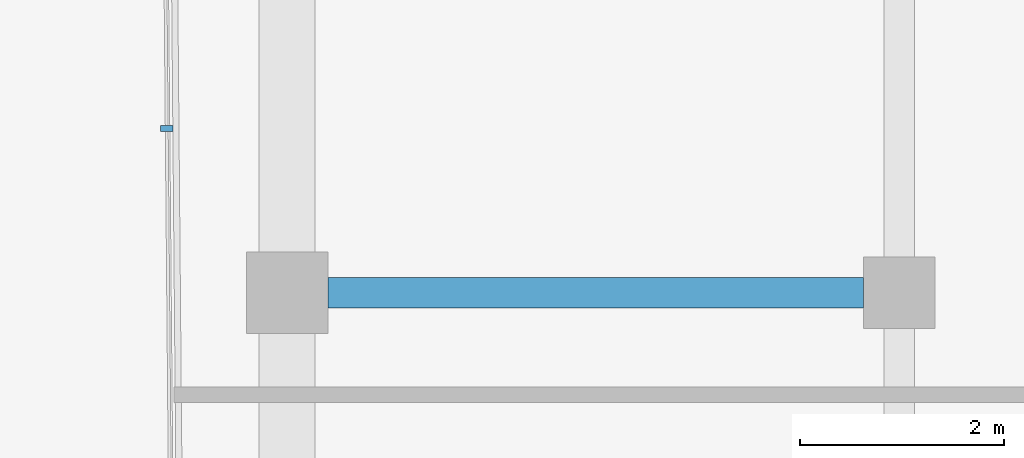
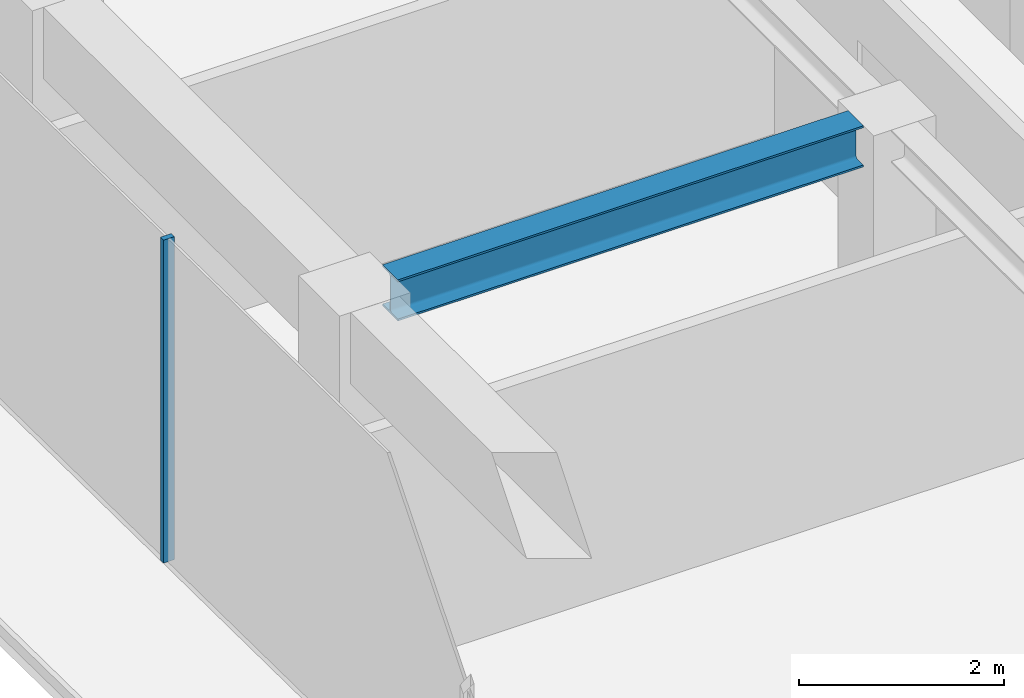
# One storey, part 8 of 19: 1 beam, 1 member, 1 element without a shape of its own.
"""IFC4 building model written with IfcOpenShell, lengths in metres."""

import ifcopenshell
import ifcopenshell.guid

model = None  # the IFC model being written
_history = None  # IfcOwnerHistory: only IFC2X3 demands one
_inside = {}  # id of a spatial element -> (the spatial element, [elements in it])
_under = {}  # id of a project, library or spatial element -> (it, [spatial elements below it])
_declared = {}  # id of a project -> (the project, [libraries it declares])
_typed = {}  # id of a type object -> (the type object, [elements of that type])
_made_of = {}  # id of a material, layer set ... -> (it, [elements and type objects made of it])


def new_model(schema):
    """Start an empty IFC model of exactly this schema.

    Asked for "IFC4X3", IfcOpenShell would pick the latest addendum, in which some entities
    have other attributes; the version numbers below select the first issue.
    IFC2X3 requires an IfcOwnerHistory on every rooted entity: one is made here for all.
    """
    global model, _history
    if schema == "IFC4X3":
        model = ifcopenshell.file(schema_version=(4, 3, 0, 0))
    else:
        model = ifcopenshell.file(schema=schema)
    _inside.clear()
    _under.clear()
    _declared.clear()
    _typed.clear()
    _made_of.clear()
    _history = None
    if model.schema == "IFC2X3":
        org = make("IfcOrganization", Name="unknown")
        user = make(
            "IfcPersonAndOrganization",
            ThePerson=make("IfcPerson", FamilyName="unknown"),
            TheOrganization=org,
        )
        app = make(
            "IfcApplication",
            ApplicationDeveloper=org,
            Version="unknown",
            ApplicationFullName="unknown",
            ApplicationIdentifier="unknown",
        )
        _history = make(
            "IfcOwnerHistory",
            OwningUser=user,
            OwningApplication=app,
            ChangeAction="ADDED",
            CreationDate=0,
        )
    return model


def make(cls, **values):
    """One entity of the class cls with the attributes given. An attribute that is None is left unset."""
    return model.create_entity(
        cls, **{name: value for name, value in values.items() if value is not None}
    )


def rooted(cls, **values):
    """An entity with a GlobalId (a new one), such as an element, a storey or a relation."""
    return make(cls, GlobalId=ifcopenshell.guid.new(), OwnerHistory=_history, **values)


def si_unit(unit_type, name, prefix=None):
    """IfcSIUnit, for example si_unit("LENGTHUNIT", "METRE", prefix="MILLI")."""
    return make("IfcSIUnit", UnitType=unit_type, Prefix=prefix, Name=name)


def assignment(units):
    """IfcUnitAssignment: the units of a project."""
    return None if units is None else make("IfcUnitAssignment", Units=units)


def point(xyz):
    """IfcCartesianPoint."""
    return None if xyz is None else make("IfcCartesianPoint", Coordinates=xyz)


def direction(xyz):
    """IfcDirection."""
    return None if xyz is None else make("IfcDirection", DirectionRatios=xyz)


def frame(location, z_axis=None, x_axis=None):
    """IfcAxis2Placement3D, a coordinate frame: its origin and axes. An axis left out is left unset."""
    return make(
        "IfcAxis2Placement3D",
        Location=point(location),
        Axis=direction(z_axis),
        RefDirection=direction(x_axis),
    )


def frame_2d(location, x_axis=None):
    """IfcAxis2Placement2D, a coordinate frame in the plane: its origin and x axis."""
    return make(
        "IfcAxis2Placement2D", Location=point(location), RefDirection=direction(x_axis)
    )


def origin():
    """The frame at (0, 0, 0) with its axes left unset."""
    return frame((0.0, 0.0, 0.0))


def origin_2d():
    """The frame at (0, 0) in the plane with its x axis left unset."""
    return frame_2d((0.0, 0.0))


def place(relative_to, where):
    """IfcLocalPlacement: puts the frame where relative to a parent placement (None: the world)."""
    return make(
        "IfcLocalPlacement", PlacementRelTo=relative_to, RelativePlacement=where
    )


def context(
    kind, dimensions, precision=None, world=None, true_north=None, identifier=None
):
    """IfcGeometricRepresentationContext, for example the 3D "Model" context."""
    return make(
        "IfcGeometricRepresentationContext",
        ContextIdentifier=identifier,
        ContextType=kind,
        CoordinateSpaceDimension=dimensions,
        Precision=precision,
        WorldCoordinateSystem=world,
        TrueNorth=true_north,
    )


def subcontext(parent, identifier, kind, view, scale=None):
    """IfcGeometricRepresentationSubContext, for example "Body" below "Model"."""
    return make(
        "IfcGeometricRepresentationSubContext",
        ContextIdentifier=identifier,
        ContextType=kind,
        ParentContext=parent,
        TargetScale=scale,
        TargetView=view,
    )


def project(units=None, contexts=None):
    """IfcProject with its units and contexts."""
    return rooted(
        "IfcProject",
        Name="project",
        RepresentationContexts=contexts,
        UnitsInContext=assignment(units),
    )


def spatial(cls, under=None, at=None, **own):
    """A site, building, storey or space (cls), placed at a placement, below another one or the project."""
    s = rooted(cls, ObjectPlacement=at, **own)
    if under is not None:
        _under.setdefault(under.id(), (under, []))[1].append(s)
    return s


def profile(cls, at=None, kind="AREA", **sizes):
    """A parametric profile (cls). Its sizes go by their IFC names, for example OverallWidth=200.0."""
    return make(cls, ProfileType=kind, Position=at, **sizes)


def rectangle(**sizes):
    """IfcRectangleProfileDef."""
    return profile("IfcRectangleProfileDef", **sizes)


def i_section(**sizes):
    """IfcIShapeProfileDef."""
    return profile("IfcIShapeProfileDef", **sizes)


def extrude(swept, where, along, depth):
    """IfcExtrudedAreaSolid: the profile swept, set in the frame where, extruded along a direction by depth."""
    return make(
        "IfcExtrudedAreaSolid",
        SweptArea=swept,
        Position=where,
        ExtrudedDirection=direction(along),
        Depth=depth,
    )


def shape(context_of_items, identifier, shape_type, items):
    """IfcShapeRepresentation: the items that make up one representation, for example the "Body"."""
    return make(
        "IfcShapeRepresentation",
        ContextOfItems=context_of_items,
        RepresentationIdentifier=identifier,
        RepresentationType=shape_type,
        Items=items,
    )


def material(Name=None, Category=None):
    """IfcMaterial."""
    return make("IfcMaterial", Name=Name, Category=Category)


def layer(
    of_material, thickness, ventilated=None, Name=None, Category=None, Priority=None
):
    """IfcMaterialLayer: one layer of a wall or slab, of a material (None: an air gap)."""
    return make(
        "IfcMaterialLayer",
        Material=of_material,
        LayerThickness=thickness,
        IsVentilated=ventilated,
        Name=Name,
        Category=Category,
        Priority=Priority,
    )


def layer_set(layers, Name=None):
    """IfcMaterialLayerSet."""
    return make("IfcMaterialLayerSet", MaterialLayers=layers, LayerSetName=Name)


def material_profile(
    of_material, cross_section, Name=None, Category=None, Priority=None
):
    """IfcMaterialProfile: a cross section and its material."""
    return make(
        "IfcMaterialProfile",
        Name=Name,
        Material=of_material,
        Profile=cross_section,
        Priority=Priority,
        Category=Category,
    )


def profile_set(profiles, Name=None, composite=None):
    """IfcMaterialProfileSet."""
    return make(
        "IfcMaterialProfileSet",
        Name=Name,
        MaterialProfiles=profiles,
        CompositeProfile=composite,
    )


def made_of(thing, what):
    """Note that an element or type object is made of a material, layer set ...; save() writes the relation."""
    if what is not None:
        _made_of.setdefault(what.id(), (what, []))[1].append(thing)
    return thing


def type_object(cls, material=None, **own):
    """A type object (cls), such as IfcWallType, which elements share."""
    return made_of(rooted(cls, **own), material)


def element(
    cls,
    number,
    at=None,
    inside=None,
    cuts=None,
    type_object=None,
    material=None,
    context=None,
    identifier="Body",
    shape_type=None,
    held_by="IfcProductDefinitionShape",
    body=None,
    shapes=None,
    **own,
):
    """One element of the class cls, such as IfcWall. Its Tag is "e" and its number.

    at: its placement. inside: the storey or other place that contains it. cuts: it is an
    opening in that element (IfcRelVoidsElement). A single representation is given by context,
    identifier, shape_type and body (its items); several are given by shapes. held_by: the class
    of the entity that holds the representations. save() writes the other relations.
    """
    e = rooted(cls, Tag="e%d" % number, ObjectPlacement=at, **own)
    if body is not None:
        shapes = [shape(context, identifier, shape_type, body)]
    if shapes is not None:
        e.Representation = make(held_by, Representations=shapes)
    if inside is not None:
        _inside.setdefault(inside.id(), (inside, []))[1].append(e)
    if cuts is not None:
        rooted(
            "IfcRelVoidsElement", RelatingBuildingElement=cuts, RelatedOpeningElement=e
        )
    if type_object is not None:
        _typed.setdefault(type_object.id(), (type_object, []))[1].append(e)
    return made_of(e, material)


def aggregate(whole, parts):
    """IfcRelAggregates: a whole, such as a stair, and the parts it consists of."""
    return rooted("IfcRelAggregates", RelatingObject=whole, RelatedObjects=parts)


def save(model, path):
    """Write the relations noted so far, then the file.

    IfcRelAggregates (storeys below a building ...), IfcRelContainedInSpatialStructure (elements
    in a storey), IfcRelDefinesByType, IfcRelAssociatesMaterial and IfcRelDeclares: one each for
    every whole, place, type object, material and project.
    """
    for whole, parts in _under.values():
        aggregate(whole, parts)
    for where, things in _inside.values():
        rooted(
            "IfcRelContainedInSpatialStructure",
            RelatedElements=things,
            RelatingStructure=where,
        )
    for kind, things in _typed.values():
        rooted("IfcRelDefinesByType", RelatedObjects=things, RelatingType=kind)
    for what, things in _made_of.values():
        rooted("IfcRelAssociatesMaterial", RelatedObjects=things, RelatingMaterial=what)
    for by, libraries in _declared.values():
        rooted("IfcRelDeclares", RelatingContext=by, RelatedDefinitions=libraries)
    model.write(path)


model = new_model("IFC4")

# Units and contexts
model_context = context("Model", 3, precision=1e-05, world=origin(), true_north=direction((0.0, 1.0)))
body_context = subcontext(model_context, "Body", "Model", "MODEL_VIEW")
ifc_project = project(units=[si_unit("LENGTHUNIT", "METRE"), si_unit("AREAUNIT", "SQUARE_METRE"), si_unit("VOLUMEUNIT", "CUBIC_METRE"), si_unit("PLANEANGLEUNIT", "RADIAN"), si_unit("MASSUNIT", "GRAM", prefix="KILO")], contexts=[model_context])

# Site, building, storey
site_placement = place(None, origin())
site = spatial("IfcSite", under=ifc_project, at=site_placement, CompositionType="ELEMENT")
building_placement = place(site_placement, origin())
building = spatial("IfcBuilding", under=site, at=building_placement, Name="Welwitschia Terrace Campus", CompositionType="ELEMENT")
storey_placement = place(building_placement, frame((0.0, 0.0, 226.39990234375)))
storey = spatial("IfcBuildingStorey", under=building, at=storey_placement, Name="L50", CompositionType="ELEMENT", Elevation=226.39990234375)

# Curtain wall, member
ifc_material_1 = material(Name="Bronze anodised aluminium", Category="aluminium")
ifc_layer = layer(ifc_material_1, 0.1201171875)
ifc_layer_set = layer_set([ifc_layer], Name="Bronze anodised aluminium")
curtain_wall_type = type_object("IfcCurtainWallType", Name="Curtain wall CW2 tower 6000", PredefinedType="NOTDEFINED", material=ifc_layer_set)
curtain_wall_placement = place(storey_placement, origin())
curtain_wall = element("IfcCurtainWall", 1, at=curtain_wall_placement, inside=storey, type_object=curtain_wall_type, Name="CW L50.0.0", PredefinedType="NOTDEFINED")
ifc_material_2 = material(Name="Bronze anodised aluminium", Category="aluminium")
ifc_material_profile_1 = material_profile(ifc_material_2, rectangle(XDim=0.1201171875, YDim=0.06005859375, at=origin_2d()))
ifc_profile_set_1 = profile_set([ifc_material_profile_1], Name="Bronze anodised aluminium")
member_type = type_object("IfcMemberType", Name="Mullion 60x120", PredefinedType="MULLION", material=ifc_profile_set_1)
member_placement = place(storey_placement, frame((-1.180908203125, 53.610107421875, 0.0), z_axis=(0.0, 0.0, 1.0), x_axis=(0.999961923064, 0.008726535498, 0.0)))
member = element("IfcMember", 2, at=member_placement, type_object=member_type, Name="Mullion L50.0.0.3", PredefinedType="MULLION", context=body_context, shape_type="SweptSolid", body=[
    extrude(rectangle(XDim=0.1201171875, YDim=0.06005859375, at=origin_2d()), origin(), (0.0, 0.0, 1.0), 3.85009765625),
])
aggregate(curtain_wall, [member])

# Beam
ifc_material_3 = material(Name="Steel S355", Category="steel")
ifc_material_profile_2 = material_profile(ifc_material_3, i_section(OverallWidth=0.300048828125, OverallDepth=0.489990234375, WebThickness=0.011962890625, FlangeThickness=0.02294921875, FilletRadius=0.027099609375, at=origin_2d()))
ifc_profile_set_2 = profile_set([ifc_material_profile_2], Name="Steel S355")
beam_type = type_object("IfcBeamType", Name="Primary beam HE 500 A", PredefinedType="BEAM", material=ifc_profile_set_2)
beam_placement = place(storey_placement, frame((0.400390625, 52.0, 3.60498046875), z_axis=(1.0, 0.0, 0.0), x_axis=(0.0, 1.0, 0.0)))
element("IfcBeam", 3, at=beam_placement, inside=storey, type_object=beam_type, Name="Primary beam PB5", PredefinedType="BEAM", context=body_context, shape_type="SweptSolid", body=[
    extrude(i_section(OverallWidth=0.300048828125, OverallDepth=0.489990234375, WebThickness=0.011962890625, FlangeThickness=0.02294921875, FilletRadius=0.027099609375, at=origin_2d()), origin(), (0.0, 0.0, 1.0), 5.2490234375),
])

save(model, "model.ifc")
